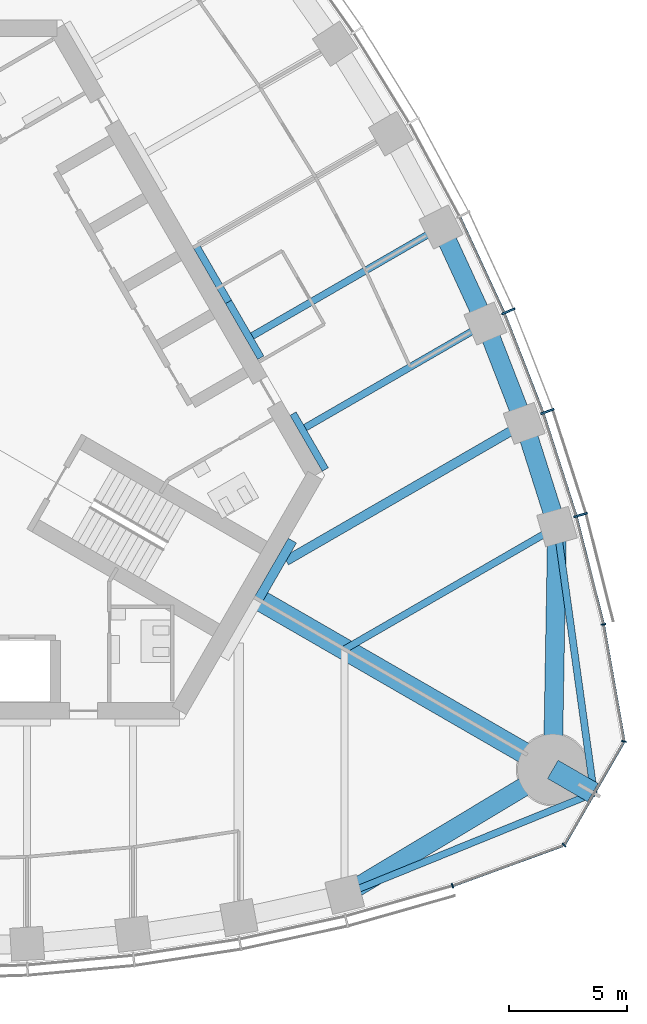
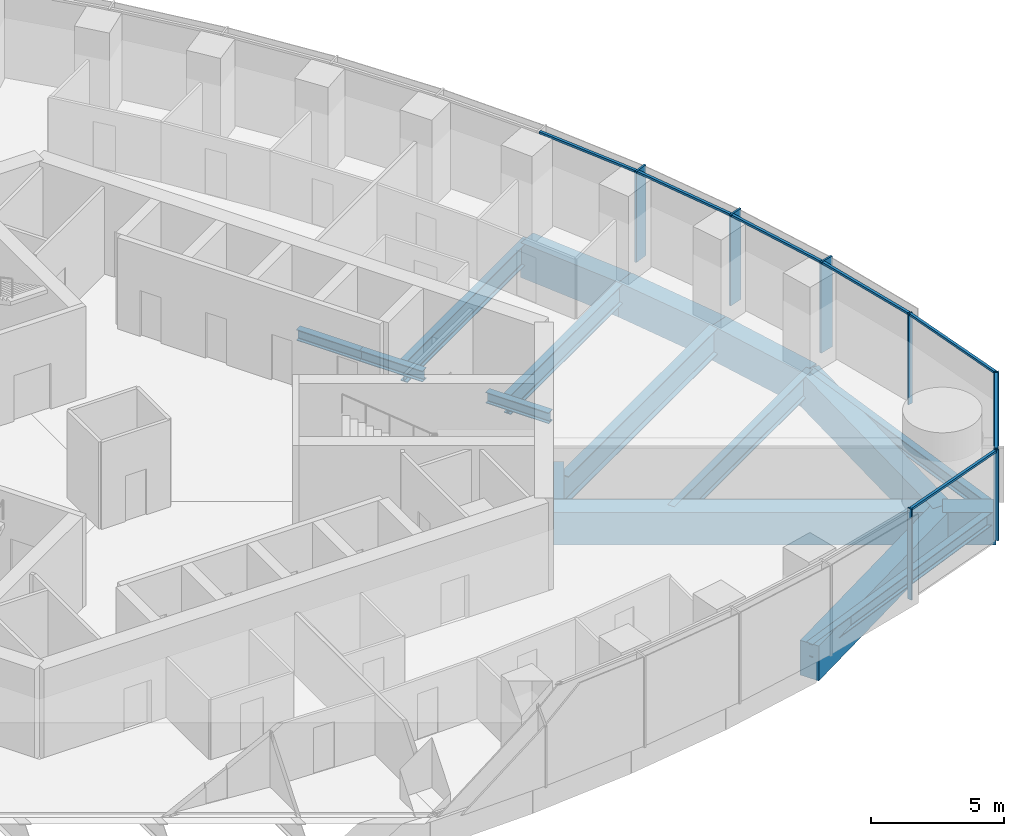
# One storey, part 4 of 16: 17 beams, 14 members, 2 elements without a shape of their own.
"""IFC4 building model written with IfcOpenShell, lengths in metres."""

from ifc_helpers import new_model, si_unit, direction, frame, origin, origin_2d, place, context, subcontext, project, spatial, rectangle, i_section, extrude, material, material_profile, profile_set, type_object, element, aggregate, save


model = new_model("IFC4")

# Units and contexts
model_context = context("Model", 3, precision=1e-05, world=origin(), true_north=direction((0.0, 1.0)))
body_context = subcontext(model_context, "Body", "Model", "MODEL_VIEW")
ifc_project = project(units=[si_unit("LENGTHUNIT", "METRE"), si_unit("AREAUNIT", "SQUARE_METRE"), si_unit("VOLUMEUNIT", "CUBIC_METRE"), si_unit("PLANEANGLEUNIT", "RADIAN"), si_unit("MASSUNIT", "GRAM", prefix="KILO")], contexts=[model_context])

# Site, building, storey
site_placement = place(None, origin())
site = spatial("IfcSite", under=ifc_project, at=site_placement, CompositionType="ELEMENT")
building_placement = place(site_placement, origin())
building = spatial("IfcBuilding", under=site, at=building_placement, Name="Trefoil Bronze Tower", CompositionType="ELEMENT")
storey_placement = place(building_placement, frame((0.0, 0.0, 284.699951171875)))
storey = spatial("IfcBuildingStorey", under=building, at=storey_placement, Name="L65", CompositionType="ELEMENT", Elevation=284.699951171875)

# Curtain wall, members
ifc_material_1 = material(Name="Tinted solar-control glass", Category="glass")
curtain_wall_type_1 = type_object("IfcCurtainWallType", Name="Bronze office curtain wall", PredefinedType="USERDEFINED", material=ifc_material_1)
curtain_wall_1_placement = place(storey_placement, origin())
curtain_wall_1 = element("IfcCurtainWall", 1, at=curtain_wall_1_placement, inside=storey, type_object=curtain_wall_type_1, Name="CW-A L65 F2", ObjectType="CURTAIN WALL", PredefinedType="USERDEFINED")
ifc_material_2 = material(Name="Bronze-finish aluminium", Category="aluminium")
ifc_material_profile_1 = material_profile(ifc_material_2, rectangle(XDim=0.60009765625, YDim=0.080078125, at=origin_2d()), Name="CW-A mullion")
ifc_profile_set_1 = profile_set([ifc_material_profile_1], Name="Bronze-finish aluminium")
member_type_1 = type_object("IfcMemberType", Name="Bronze office curtain wall mullion", PredefinedType="MULLION", material=ifc_profile_set_1)
member_1_placement = place(storey_placement, frame((28.02978515625, -4.685546875, 0.0), z_axis=(0.0, 0.0, 1.0), x_axis=(-0.961395843746, -0.275169096426, 0.0)))
member_1 = element("IfcMember", 2, at=member_1_placement, type_object=member_type_1, Name="CW-A L65 F2 mullion 2", PredefinedType="MULLION", context=body_context, shape_type="SweptSolid", body=[
    extrude(rectangle(XDim=0.60009765625, YDim=0.080078125, at=origin_2d()), origin(), (0.0, 0.0, 1.0), 4.179931640625),
])
member_2_placement = place(storey_placement, frame((26.618896484375, -0.282958984375, 0.0), z_axis=(0.0, 0.0, 1.0), x_axis=(-0.942448408407, -0.334351607581, 0.0)))
member_2 = element("IfcMember", 3, at=member_2_placement, type_object=member_type_1, Name="CW-A L65 F2 mullion 3", PredefinedType="MULLION", context=body_context, shape_type="SweptSolid", body=[
    extrude(rectangle(XDim=0.60009765625, YDim=0.080078125, at=origin_2d()), origin(), (0.0, 0.0, 1.0), 4.179931640625),
])
member_3_placement = place(storey_placement, frame((24.958984375, 3.975830078125, 0.0), z_axis=(0.0, 0.0, 1.0), x_axis=(-0.920205407004, -0.391435829888, 0.0)))
member_3 = element("IfcMember", 4, at=member_3_placement, type_object=member_type_1, Name="CW-A L65 F2 mullion 4", PredefinedType="MULLION", context=body_context, shape_type="SweptSolid", body=[
    extrude(rectangle(XDim=0.60009765625, YDim=0.080078125, at=origin_2d()), origin(), (0.0, 0.0, 1.0), 4.179931640625),
])
ifc_material_3 = material(Name="Bronze-finish aluminium", Category="aluminium")
ifc_material_profile_2 = material_profile(ifc_material_3, rectangle(XDim=0.1201171875, YDim=0.10009765625, at=origin_2d()), Name="CW-A transom")
ifc_profile_set_2 = profile_set([ifc_material_profile_2], Name="Bronze-finish aluminium")
member_type_2 = type_object("IfcMemberType", Name="Bronze office curtain wall transom", PredefinedType="USERDEFINED", material=ifc_profile_set_2)
member_4_placement = place(storey_placement, frame((28.986328125, -9.288330078125, 4.130126953125), z_axis=(-0.244908148095, 0.969546285123, 0.0), x_axis=(-0.969546285123, -0.244908148095, 0.0)))
member_4 = element("IfcMember", 5, at=member_4_placement, type_object=member_type_2, Name="CW-A L65 F2 transom 1", ObjectType="TRANSOM", PredefinedType="USERDEFINED", context=body_context, shape_type="SweptSolid", body=[
    extrude(rectangle(XDim=0.1201171875, YDim=0.10009765625, at=origin_2d()), origin(), (0.0, 0.0, 1.0), 4.6474609375),
])
member_5_placement = place(storey_placement, frame((27.824462890625, -4.699462890625, 4.130126953125), z_axis=(-0.305198606794, 0.95228872219, 0.0), x_axis=(-0.95228872219, -0.305198606794, 0.0)))
member_5 = element("IfcMember", 6, at=member_5_placement, type_object=member_type_2, Name="CW-A L65 F2 transom 2", ObjectType="TRANSOM", PredefinedType="USERDEFINED", context=body_context, shape_type="SweptSolid", body=[
    extrude(rectangle(XDim=0.1201171875, YDim=0.10009765625, at=origin_2d()), origin(), (0.0, 0.0, 1.0), 4.5244140625),
])
member_6_placement = place(storey_placement, frame((26.414794921875, -0.3095703125, 4.130126953125), z_axis=(-0.363178486404, 0.931719586042, 0.0), x_axis=(-0.931719586042, -0.363178486404, 0.0)))
member_6 = element("IfcMember", 7, at=member_6_placement, type_object=member_type_2, Name="CW-A L65 F2 transom 3", ObjectType="TRANSOM", PredefinedType="USERDEFINED", context=body_context, shape_type="SweptSolid", body=[
    extrude(rectangle(XDim=0.1201171875, YDim=0.10009765625, at=origin_2d()), origin(), (0.0, 0.0, 1.0), 4.472412109375),
])
member_7_placement = place(storey_placement, frame((24.7568359375, 3.9365234375, 4.130126953125), z_axis=(-0.4192988407, 0.907848270466, 0.0), x_axis=(-0.907848270466, -0.4192988407, 0.0)))
member_7 = element("IfcMember", 8, at=member_7_placement, type_object=member_type_2, Name="CW-A L65 F2 transom 4", ObjectType="TRANSOM", PredefinedType="USERDEFINED", context=body_context, shape_type="SweptSolid", body=[
    extrude(rectangle(XDim=0.1201171875, YDim=0.10009765625, at=origin_2d()), origin(), (0.0, 0.0, 1.0), 4.4384765625),
])
aggregate(curtain_wall_1, [member_1, member_2, member_3, member_4, member_5, member_6, member_7])

ifc_material_4 = material(Name="Tinted solar-control glass", Category="glass")
curtain_wall_type_2 = type_object("IfcCurtainWallType", Name="Bronze rounded corner curtain wall", PredefinedType="USERDEFINED", material=ifc_material_4)
curtain_wall_2_placement = place(storey_placement, origin())
curtain_wall_2 = element("IfcCurtainWall", 9, at=curtain_wall_2_placement, inside=storey, type_object=curtain_wall_type_2, Name="CW-B L65 K1", ObjectType="CURTAIN WALL", PredefinedType="USERDEFINED")
ifc_material_5 = material(Name="Bronze-finish aluminium", Category="aluminium")
ifc_material_profile_3 = material_profile(ifc_material_5, rectangle(XDim=0.199951171875, YDim=0.06005859375, at=origin_2d()), Name="CW-B mullion")
ifc_profile_set_3 = profile_set([ifc_material_profile_3], Name="Bronze-finish aluminium")
member_type_3 = type_object("IfcMemberType", Name="Bronze rounded corner curtain wall mullion", PredefinedType="MULLION", material=ifc_profile_set_3)
member_8_placement = place(storey_placement, frame((22.58251953125, -20.445556640625, 0.0), z_axis=(0.0, 0.0, 1.0), x_axis=(-0.342020143326, 0.939692620786, 0.0)))
member_8 = element("IfcMember", 10, at=member_8_placement, type_object=member_type_3, Name="CW-B L65 K1 mullion 1", PredefinedType="MULLION", context=body_context, shape_type="SweptSolid", body=[
    extrude(rectangle(XDim=0.199951171875, YDim=0.06005859375, at=origin_2d()), origin(), (0.0, 0.0, 1.0), 4.179931640625),
])
member_9_placement = place(storey_placement, frame((27.326416015625, -18.712646484375, 0.0), z_axis=(0.0, 0.0, 1.0), x_axis=(-0.642787609687, 0.766044443119, 0.0)))
member_9 = element("IfcMember", 11, at=member_9_placement, type_object=member_type_3, Name="CW-B L65 K1 mullion 2", PredefinedType="MULLION", context=body_context, shape_type="SweptSolid", body=[
    extrude(rectangle(XDim=0.199951171875, YDim=0.06005859375, at=origin_2d()), origin(), (0.0, 0.0, 1.0), 4.179931640625),
])
member_10_placement = place(storey_placement, frame((29.86865234375, -14.30908203125, 0.0), z_axis=(0.0, 0.0, 1.0), x_axis=(-0.984807753012, 0.173648177667, 0.0)))
member_10 = element("IfcMember", 12, at=member_10_placement, type_object=member_type_3, Name="CW-B L65 K1 mullion 3", PredefinedType="MULLION", context=body_context, shape_type="SweptSolid", body=[
    extrude(rectangle(XDim=0.199951171875, YDim=0.06005859375, at=origin_2d()), origin(), (0.0, 0.0, 1.0), 4.179931640625),
])
member_11_placement = place(storey_placement, frame((28.99755859375, -9.334228515625, 0.0), z_axis=(0.0, 0.0, 1.0), x_axis=(-0.984807753012, -0.173648177667, 0.0)))
member_11 = element("IfcMember", 13, at=member_11_placement, type_object=member_type_3, Name="CW-B L65 K1 mullion 4", PredefinedType="MULLION", context=body_context, shape_type="SweptSolid", body=[
    extrude(rectangle(XDim=0.199951171875, YDim=0.06005859375, at=origin_2d()), origin(), (0.0, 0.0, 1.0), 4.179931640625),
])
ifc_material_6 = material(Name="Bronze-finish aluminium", Category="aluminium")
ifc_material_profile_4 = material_profile(ifc_material_6, rectangle(XDim=0.1201171875, YDim=0.10009765625, at=origin_2d()), Name="CW-B transom")
ifc_profile_set_4 = profile_set([ifc_material_profile_4], Name="Bronze-finish aluminium")
member_type_4 = type_object("IfcMemberType", Name="Bronze rounded corner curtain wall transom", PredefinedType="USERDEFINED", material=ifc_profile_set_4)
member_12_placement = place(storey_placement, frame((22.610595703125, -20.435302734375, 4.130126953125), z_axis=(0.93969990549, 0.342000128103, 0.0), x_axis=(-0.342000128103, 0.93969990549, 0.0)))
member_12 = element("IfcMember", 14, at=member_12_placement, type_object=member_type_4, Name="CW-B L65 K1 transom 1", ObjectType="TRANSOM", PredefinedType="USERDEFINED", context=body_context, shape_type="SweptSolid", body=[
    extrude(rectangle(XDim=0.1201171875, YDim=0.10009765625, at=origin_2d()), origin(), (0.0, 0.0, 1.0), 4.956298828125),
])
member_13_placement = place(storey_placement, frame((27.36376953125, -18.659912109375, 4.130126953125), z_axis=(0.499985403706, 0.866033830794, 0.0), x_axis=(-0.866033830794, 0.499985403706, 0.0)))
member_13 = element("IfcMember", 15, at=member_13_placement, type_object=member_type_4, Name="CW-B L65 K1 transom 2", ObjectType="TRANSOM", PredefinedType="USERDEFINED", context=body_context, shape_type="SweptSolid", body=[
    extrude(rectangle(XDim=0.1201171875, YDim=0.10009765625, at=origin_2d()), origin(), (0.0, 0.0, 1.0), 4.956298828125),
])
member_14_placement = place(storey_placement, frame((29.863525390625, -14.244873046875, 4.130126953125), z_axis=(-0.173633591509, 0.984810324834, 0.0), x_axis=(-0.984810324834, -0.173633591509, 0.0)))
member_14 = element("IfcMember", 16, at=member_14_placement, type_object=member_type_4, Name="CW-B L65 K1 transom 3", ObjectType="TRANSOM", PredefinedType="USERDEFINED", context=body_context, shape_type="SweptSolid", body=[
    extrude(rectangle(XDim=0.1201171875, YDim=0.10009765625, at=origin_2d()), origin(), (0.0, 0.0, 1.0), 4.956298828125),
])
aggregate(curtain_wall_2, [member_8, member_9, member_10, member_11, member_12, member_13, member_14])

# Beams
ifc_material_7 = material(Name="Steel C355", Category="steel")
ifc_material_profile_5 = material_profile(ifc_material_7, i_section(OverallWidth=0.300048828125, OverallDepth=0.5, WebThickness=0.014404296875, FlangeThickness=0.028076171875, FilletRadius=0.027099609375, at=origin_2d()), Name="HEB 500")
ifc_profile_set_5 = profile_set([ifc_material_profile_5], Name="Steel C355")
beam_type_1 = type_object("IfcBeamType", Name="Core seat beam HEB 500", PredefinedType="BEAM", material=ifc_profile_set_5)
for number, where, z_axis, x_axis, name in (
    (17, (17.17626953125, -2.75, -0.449951171875), (-0.500035825175, 0.866004719122, 0.0), (-0.866004719122, -0.500035825175, 0.0), "Core seat beam F2/-2 L65"),
    (18, (14.433837890625, 2.0, -0.449951171875), (-0.500035825175, 0.866004719122, 0.0), (-0.866004719122, -0.500035825175, 0.0), "Core seat beam F2/-1 L65"),
    (19, (13.0625, 4.375, -0.449951171875), (-0.499969057507, 0.866043267704, 0.0), (-0.866043267704, -0.499969057507, 0.0), "Core seat beam F2/+0 L65"),
):
    element("IfcBeam", number, at=place(storey_placement, frame(where, z_axis=z_axis, x_axis=x_axis)), inside=storey, type_object=beam_type_1, Name=name, PredefinedType="BEAM", context=body_context, shape_type="SweptSolid", body=[
        extrude(i_section(OverallWidth=0.300048828125, OverallDepth=0.5, WebThickness=0.014404296875, FlangeThickness=0.028076171875, FilletRadius=0.027099609375, at=origin_2d()), origin(), (0.0, 0.0, 1.0), 2.742431640625),
    ])
ifc_material_8 = material(Name="Steel C355", Category="steel")
ifc_material_profile_6 = material_profile(ifc_material_8, i_section(OverallWidth=0.39990234375, OverallDepth=1.199951171875, WebThickness=0.02001953125, FlangeThickness=0.0400390625, FilletRadius=0.010009765625, at=origin_2d()), Name="WPG 1200")
ifc_profile_set_6 = profile_set([ifc_material_profile_6], Name="Steel C355")
beam_type_2 = type_object("IfcBeamType", Name="Core seat beam WPG 1200", PredefinedType="BEAM", material=ifc_profile_set_6)
beam_1_placement = place(storey_placement, frame((14.332763671875, -8.27490234375, -0.800048828125), z_axis=(0.499995765644, 0.866027848477, 0.0), x_axis=(-0.866027848477, 0.499995765644, 0.0)))
element("IfcBeam", 20, at=beam_1_placement, inside=storey, type_object=beam_type_2, Name="Core seat beam F2/-3 L65", PredefinedType="BEAM", context=body_context, shape_type="SweptSolid", body=[
    extrude(i_section(OverallWidth=0.39990234375, OverallDepth=1.199951171875, WebThickness=0.02001953125, FlangeThickness=0.0400390625, FilletRadius=0.010009765625, at=origin_2d()), origin(), (0.0, 0.0, 1.0), 2.88671875),
])
ifc_material_9 = material(Name="Concrete B80", Category="concrete")
ifc_material_profile_7 = material_profile(ifc_material_9, rectangle(XDim=0.89990234375, YDim=1.5, at=origin_2d()), Name="RC 900x1500")
ifc_profile_set_7 = profile_set([ifc_material_profile_7], Name="Concrete B80")
beam_type_3 = type_object("IfcBeamType", Name="Corner cantilever RC 900x1500", PredefinedType="BEAM", material=ifc_profile_set_7)
beam_2_placement = place(storey_placement, frame((26.8466796875, -15.5, -0.949951171875), z_axis=(0.866010470582, -0.500025864173, 0.0), x_axis=(0.500025864173, 0.866010470582, 0.0)))
element("IfcBeam", 21, at=beam_2_placement, inside=storey, type_object=beam_type_3, Name="Corner cantilever K1 L65", PredefinedType="BEAM", context=body_context, shape_type="SweptSolid", body=[
    extrude(rectangle(XDim=0.89990234375, YDim=1.5, at=origin_2d()), origin(), (0.0, 0.0, 1.0), 2.02001953125),
])
ifc_material_10 = material(Name="Steel C355", Category="steel")
ifc_material_profile_8 = material_profile(ifc_material_10, i_section(OverallWidth=0.300048828125, OverallDepth=0.60009765625, WebThickness=0.015380859375, FlangeThickness=0.030029296875, FilletRadius=0.027099609375, at=origin_2d()), Name="HEB 600")
ifc_profile_set_8 = profile_set([ifc_material_profile_8], Name="Steel C355")
beam_type_4 = type_object("IfcBeamType", Name="Corner edge beam HEB 600", PredefinedType="BEAM", material=ifc_profile_set_8)
beam_3_placement = place(storey_placement, frame((18.0, -20.816162109375, -0.5), z_axis=(0.926419351914, 0.376493272714, 0.0), x_axis=(-0.376493272714, 0.926419351914, 0.0)))
element("IfcBeam", 22, at=beam_3_placement, inside=storey, type_object=beam_type_4, Name="Corner edge beam F1A L65", PredefinedType="BEAM", context=body_context, shape_type="SweptSolid", body=[
    extrude(i_section(OverallWidth=0.300048828125, OverallDepth=0.60009765625, WebThickness=0.015380859375, FlangeThickness=0.030029296875, FilletRadius=0.027099609375, at=origin_2d()), origin(), (0.0, 0.0, 1.0), 11.4375),
])
beam_4_placement = place(storey_placement, frame((27.02734375, -5.180419921875, -0.5), z_axis=(0.137143714313, -0.990551160529, 0.0), x_axis=(0.990551160529, 0.137143714313, 0.0)))
element("IfcBeam", 23, at=beam_4_placement, inside=storey, type_object=beam_type_4, Name="Corner edge beam F2B L65", PredefinedType="BEAM", context=body_context, shape_type="SweptSolid", body=[
    extrude(i_section(OverallWidth=0.300048828125, OverallDepth=0.60009765625, WebThickness=0.015380859375, FlangeThickness=0.030029296875, FilletRadius=0.027099609375, at=origin_2d()), origin(), (0.0, 0.0, 1.0), 11.437744140625),
])
ifc_material_11 = material(Name="Concrete B80", Category="concrete")
ifc_material_profile_9 = material_profile(ifc_material_11, rectangle(XDim=0.89990234375, YDim=1.5, at=origin_2d()), Name="RC 900x1500")
ifc_profile_set_9 = profile_set([ifc_material_profile_9], Name="Concrete B80")
beam_type_5 = type_object("IfcBeamType", Name="Corner girder RC 900x1500", PredefinedType="BEAM", material=ifc_profile_set_9)
beam_5_placement = place(storey_placement, frame((14.159423828125, -8.175048828125, -0.949951171875), z_axis=(0.866026568746, -0.499997982221, 0.0), x_axis=(0.499997982221, 0.866026568746, 0.0)))
element("IfcBeam", 24, at=beam_5_placement, inside=storey, type_object=beam_type_5, Name="Corner girder K1 L65", PredefinedType="BEAM", context=body_context, shape_type="SweptSolid", body=[
    extrude(rectangle(XDim=0.89990234375, YDim=1.5, at=origin_2d()), origin(), (0.0, 0.0, 1.0), 14.64990234375),
])
ifc_material_12 = material(Name="Concrete B80", Category="concrete")
ifc_material_profile_10 = material_profile(ifc_material_12, rectangle(XDim=0.800048828125, YDim=1.60009765625, at=origin_2d()), Name="RC 800x1600")
ifc_profile_set_10 = profile_set([ifc_material_profile_10], Name="Concrete B80")
beam_type_6 = type_object("IfcBeamType", Name="End spandrel beam RC 800x1600", PredefinedType="SPANDREL", material=ifc_profile_set_10)
for number, where, z_axis, x_axis, name in (
    (25, (18.0, -20.816162109375, -1.0), (0.857144173035, 0.515076563855, 0.0), (-0.515076563855, 0.857144173035, 0.0), "Spandrel F1.10 L65"),
    (26, (26.8466796875, -15.5, -1.0), (0.017504237714, 0.999846789094, 0.0), (-0.999846789094, 0.017504237714, 0.0), "Spandrel F2.1 L65"),
):
    element("IfcBeam", number, at=place(storey_placement, frame(where, z_axis=z_axis, x_axis=x_axis)), inside=storey, type_object=beam_type_6, Name=name, PredefinedType="SPANDREL", context=body_context, shape_type="SweptSolid", body=[
        extrude(rectangle(XDim=0.800048828125, YDim=1.60009765625, at=origin_2d()), origin(), (0.0, 0.0, 1.0), 10.321044921875),
    ])
ifc_material_13 = material(Name="Steel C355", Category="steel")
ifc_material_profile_11 = material_profile(ifc_material_13, i_section(OverallWidth=0.300048828125, OverallDepth=1.0, WebThickness=0.01904296875, FlangeThickness=0.035888671875, FilletRadius=0.030029296875, at=origin_2d()), Name="HEB 1000")
ifc_profile_set_11 = profile_set([ifc_material_profile_11], Name="Steel C355")
beam_type_7 = type_object("IfcBeamType", Name="Floor beam HEB 1000", PredefinedType="BEAM", material=ifc_profile_set_11)
beam_6_placement = place(storey_placement, frame((22.093994140625, 7.559814453125, -0.699951171875), z_axis=(-0.866028909405, -0.499993928037, 0.0), x_axis=(0.499993928037, -0.866028909405, 0.0)))
element("IfcBeam", 27, at=beam_6_placement, inside=storey, type_object=beam_type_7, Name="Floor beam F2/-1 L65", PredefinedType="BEAM", context=body_context, shape_type="SweptSolid", body=[
    extrude(i_section(OverallWidth=0.300048828125, OverallDepth=1.0, WebThickness=0.01904296875, FlangeThickness=0.035888671875, FilletRadius=0.030029296875, at=origin_2d()), origin(), (0.0, 0.0, 1.0), 9.263671875),
])
ifc_material_14 = material(Name="Steel C355", Category="steel")
ifc_material_profile_12 = material_profile(ifc_material_14, i_section(OverallWidth=0.300048828125, OverallDepth=0.89990234375, WebThickness=0.0185546875, FlangeThickness=0.034912109375, FilletRadius=0.030029296875, at=origin_2d()), Name="HEB 900")
ifc_profile_set_12 = profile_set([ifc_material_profile_12], Name="Steel C355")
beam_type_8 = type_object("IfcBeamType", Name="Floor beam HEB 900", PredefinedType="BEAM", material=ifc_profile_set_12)
beam_7_placement = place(storey_placement, frame((23.98486328125, 3.455322265625, -0.64990234375), z_axis=(-0.866025701847, -0.499999483739, 0.0), x_axis=(0.499999483739, -0.866025701847, 0.0)))
element("IfcBeam", 28, at=beam_7_placement, inside=storey, type_object=beam_type_8, Name="Floor beam F2/-2 L65", PredefinedType="BEAM", context=body_context, shape_type="SweptSolid", body=[
    extrude(i_section(OverallWidth=0.300048828125, OverallDepth=0.89990234375, WebThickness=0.0185546875, FlangeThickness=0.034912109375, FilletRadius=0.030029296875, at=origin_2d()), origin(), (0.0, 0.0, 1.0), 8.84912109375),
])
ifc_material_15 = material(Name="Steel C355", Category="steel")
ifc_material_profile_13 = material_profile(ifc_material_15, i_section(OverallWidth=0.302001953125, OverallDepth=1.008056640625, WebThickness=0.02099609375, FlangeThickness=0.0400390625, FilletRadius=0.030029296875, at=origin_2d()), Name="HEM 1000")
ifc_profile_set_13 = profile_set([ifc_material_profile_13], Name="Steel C355")
beam_type_9 = type_object("IfcBeamType", Name="Floor beam HEM 1000", PredefinedType="BEAM", material=ifc_profile_set_13)
beam_8_placement = place(storey_placement, frame((27.02734375, -5.180419921875, -0.703857421875), z_axis=(-0.866026453994, -0.499998180979, 0.0), x_axis=(0.499998180979, -0.866026453994, 0.0)))
element("IfcBeam", 29, at=beam_8_placement, inside=storey, type_object=beam_type_9, Name="Floor beam F2/-4 L65", PredefinedType="BEAM", context=body_context, shape_type="SweptSolid", body=[
    extrude(i_section(OverallWidth=0.302001953125, OverallDepth=1.008056640625, WebThickness=0.02099609375, FlangeThickness=0.0400390625, FilletRadius=0.030029296875, at=origin_2d()), origin(), (0.0, 0.0, 1.0), 10.423828125),
])
ifc_material_16 = material(Name="Steel C355", Category="steel")
ifc_material_profile_14 = material_profile(ifc_material_16, i_section(OverallWidth=0.39990234375, OverallDepth=1.199951171875, WebThickness=0.02001953125, FlangeThickness=0.0400390625, FilletRadius=0.010009765625, at=origin_2d()), Name="WPG 1200")
ifc_profile_set_14 = profile_set([ifc_material_profile_14], Name="Steel C355")
beam_type_10 = type_object("IfcBeamType", Name="Floor beam WPG 1200", PredefinedType="BEAM", material=ifc_profile_set_14)
beam_9_placement = place(storey_placement, frame((25.631591796875, -0.7900390625, -0.800048828125), z_axis=(-0.866026929639, -0.499997357134, 0.0), x_axis=(0.499997357134, -0.866026929639, 0.0)))
element("IfcBeam", 30, at=beam_9_placement, inside=storey, type_object=beam_type_10, Name="Floor beam F2/-3 L65", PredefinedType="BEAM", context=body_context, shape_type="SweptSolid", body=[
    extrude(i_section(OverallWidth=0.39990234375, OverallDepth=1.199951171875, WebThickness=0.02001953125, FlangeThickness=0.0400390625, FilletRadius=0.010009765625, at=origin_2d()), origin(), (0.0, 0.0, 1.0), 11.68505859375),
])
ifc_material_17 = material(Name="Concrete B80", Category="concrete")
ifc_material_profile_15 = material_profile(ifc_material_17, rectangle(XDim=0.800048828125, YDim=1.60009765625, at=origin_2d()), Name="RC 800x1600")
ifc_profile_set_15 = profile_set([ifc_material_profile_15], Name="Concrete B80")
beam_type_11 = type_object("IfcBeamType", Name="Spandrel beam RC 800x1600", PredefinedType="SPANDREL", material=ifc_profile_set_15)
beam_10_placement = place(storey_placement, frame((27.02734375, -5.180419921875, -1.0), z_axis=(-0.302969597344, 0.953000221975, 0.0), x_axis=(-0.953000221975, -0.302969597344, 0.0)))
element("IfcBeam", 31, at=beam_10_placement, inside=storey, type_object=beam_type_11, Name="Spandrel F2.2 L65", PredefinedType="SPANDREL", context=body_context, shape_type="SweptSolid", body=[
    extrude(rectangle(XDim=0.800048828125, YDim=1.60009765625, at=origin_2d()), origin(), (0.0, 0.0, 1.0), 4.60693359375),
])
beam_11_placement = place(storey_placement, frame((25.631591796875, -0.7900390625, -1.0), z_axis=(-0.361636286502, 0.932319256631, 0.0), x_axis=(-0.932319256631, -0.361636286502, 0.0)))
element("IfcBeam", 32, at=beam_11_placement, inside=storey, type_object=beam_type_11, Name="Spandrel F2.3 L65", PredefinedType="SPANDREL", context=body_context, shape_type="SweptSolid", body=[
    extrude(rectangle(XDim=0.800048828125, YDim=1.60009765625, at=origin_2d()), origin(), (0.0, 0.0, 1.0), 4.553466796875),
])
beam_12_placement = place(storey_placement, frame((23.98486328125, 3.455322265625, -1.0), z_axis=(-0.418417425199, 0.90825484215, 0.0), x_axis=(-0.90825484215, -0.418417425199, 0.0)))
element("IfcBeam", 33, at=beam_12_placement, inside=storey, type_object=beam_type_11, Name="Spandrel F2.4 L65", PredefinedType="SPANDREL", context=body_context, shape_type="SweptSolid", body=[
    extrude(rectangle(XDim=0.800048828125, YDim=1.60009765625, at=origin_2d()), origin(), (0.0, 0.0, 1.0), 4.51904296875),
])

save(model, "model.ifc")
